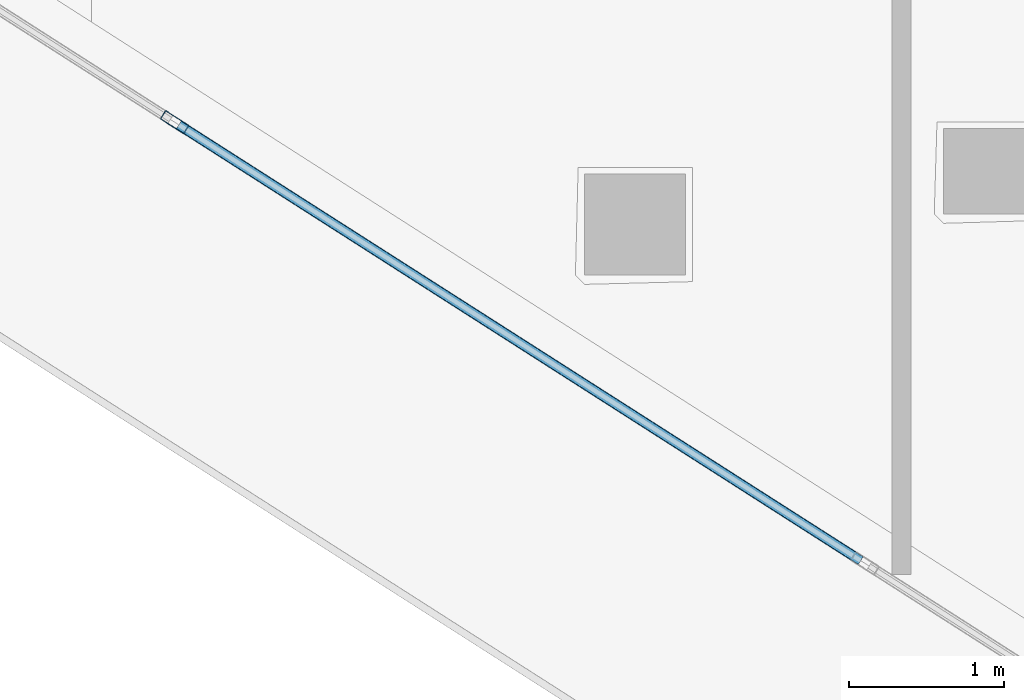
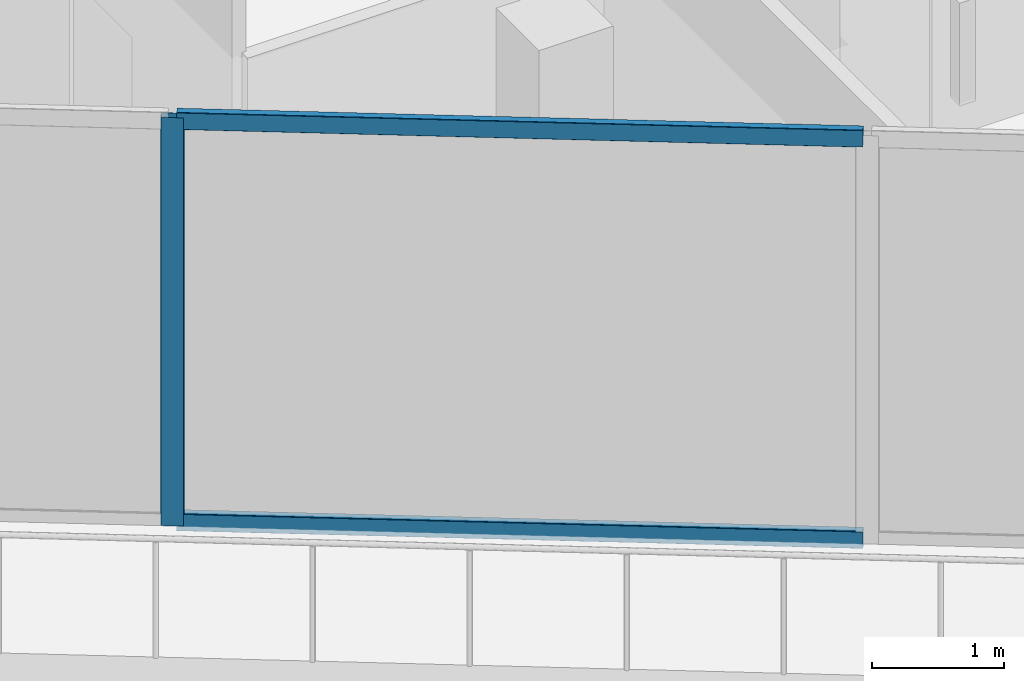
# One storey, part 3 of 33: 3 members, 1 element without a shape of its own.
"""IFC4 building model written with IfcOpenShell, lengths in metres."""

from ifc_helpers import new_model, si_unit, direction, frame, origin, origin_2d, place, context, subcontext, project, spatial, hollow_rectangle, extrude, material, layer, layer_set, material_profile, profile_set, type_object, element, aggregate, save


model = new_model("IFC4")

# Units and contexts
model_context = context("Model", 3, precision=1e-05, world=origin(), true_north=direction((0.0, 1.0)))
body_context = subcontext(model_context, "Body", "Model", "MODEL_VIEW")
ifc_project = project(units=[si_unit("LENGTHUNIT", "METRE"), si_unit("AREAUNIT", "SQUARE_METRE"), si_unit("VOLUMEUNIT", "CUBIC_METRE"), si_unit("PLANEANGLEUNIT", "RADIAN"), si_unit("MASSUNIT", "GRAM", prefix="KILO")], contexts=[model_context])

# Site, building, storey
site_placement = place(None, origin())
site = spatial("IfcSite", under=ifc_project, at=site_placement, CompositionType="ELEMENT")
building_placement = place(site_placement, origin())
building = spatial("IfcBuilding", under=site, at=building_placement, Name="Qorvath Tower", CompositionType="ELEMENT")
storey_placement = place(building_placement, frame((0.0, 0.0, 209.10009765625)))
storey = spatial("IfcBuildingStorey", under=building, at=storey_placement, Name="L48", CompositionType="ELEMENT", Elevation=209.10009765625)

# Curtain wall, members
ifc_material_1 = material(Name="Anodised aluminium and triple low-E glass", Category="aluminium")
ifc_layer = layer(ifc_material_1, 0.179931640625)
ifc_layer_set = layer_set([ifc_layer], Name="CW-SYS-3")
curtain_wall_type = type_object("IfcCurtainWallType", Name="CW-SYS-3", PredefinedType="NOTDEFINED", material=ifc_layer_set)
curtain_wall_placement = place(storey_placement, origin())
curtain_wall = element("IfcCurtainWall", 1, at=curtain_wall_placement, inside=storey, type_object=curtain_wall_type, Name="Curtain Wall CW-3 CW-T-L48-2.2", PredefinedType="NOTDEFINED")
ifc_material_2 = material(Name="Anodised aluminium 6063-T6", Category="aluminium")
ifc_material_profile_1 = material_profile(ifc_material_2, hollow_rectangle(XDim=0.06494140625, YDim=0.179931640625, WallThickness=0.00341796875, InnerFilletRadius=0.00341796875, OuterFilletRadius=0.007080078125, at=origin_2d()), Name="CWM 180x65")
ifc_profile_set_1 = profile_set([ifc_material_profile_1], Name="Anodised aluminium 6063-T6")
member_type_1 = type_object("IfcMemberType", Name="CWM-180", PredefinedType="MULLION", material=ifc_profile_set_1)
member_1_placement = place(storey_placement, frame((-39.330322265625, -12.47607421875, 0.0), z_axis=(0.0, 0.0, 1.0), x_axis=(0.538532547612, 0.842604708723, 0.0)))
member_1 = element("IfcMember", 2, at=member_1_placement, type_object=member_type_1, Name="CW-3 mullion 3", PredefinedType="MULLION", context=body_context, shape_type="SweptSolid", body=[
    extrude(hollow_rectangle(XDim=0.06494140625, YDim=0.179931640625, WallThickness=0.00341796875, InnerFilletRadius=0.00341796875, OuterFilletRadius=0.007080078125, at=origin_2d()), origin(), (0.0, 0.0, 1.0), 3.77978515625),
])
ifc_material_3 = material(Name="Anodised aluminium 6063-T6", Category="aluminium")
ifc_material_profile_2 = material_profile(ifc_material_3, hollow_rectangle(XDim=0.06494140625, YDim=0.159912109375, WallThickness=0.00341796875, InnerFilletRadius=0.00341796875, OuterFilletRadius=0.007080078125, at=origin_2d()), Name="CWT 160x65")
ifc_profile_set_2 = profile_set([ifc_material_profile_2], Name="Anodised aluminium 6063-T6")
member_type_2 = type_object("IfcMemberType", Name="CWT-160", PredefinedType="USERDEFINED", material=ifc_profile_set_2)
member_2_placement = place(storey_placement, frame((-39.302978515625, -12.49365234375, 0.032470703125), z_axis=(0.842621841948, -0.538505739498, 0.0), x_axis=(0.538505739498, 0.842621841948, 0.0)))
member_2 = element("IfcMember", 3, at=member_2_placement, type_object=member_type_2, Name="CW-3 transom 3.1", ObjectType="TRANSOM", PredefinedType="USERDEFINED", context=body_context, shape_type="SweptSolid", body=[
    extrude(hollow_rectangle(XDim=0.06494140625, YDim=0.159912109375, WallThickness=0.00341796875, InnerFilletRadius=0.00341796875, OuterFilletRadius=0.007080078125, at=origin_2d()), origin(), (0.0, 0.0, 1.0), 5.210205078125),
])
member_3_placement = place(storey_placement, frame((-39.302978515625, -12.49365234375, 3.747314453125), z_axis=(0.842621841948, -0.538505739498, 0.0), x_axis=(0.538505739498, 0.842621841948, 0.0)))
member_3 = element("IfcMember", 4, at=member_3_placement, type_object=member_type_2, Name="CW-3 transom 3.2", ObjectType="TRANSOM", PredefinedType="USERDEFINED", context=body_context, shape_type="SweptSolid", body=[
    extrude(hollow_rectangle(XDim=0.06494140625, YDim=0.159912109375, WallThickness=0.00341796875, InnerFilletRadius=0.00341796875, OuterFilletRadius=0.007080078125, at=origin_2d()), origin(), (0.0, 0.0, 1.0), 5.210205078125),
])
aggregate(curtain_wall, [member_1, member_2, member_3])

save(model, "model.ifc")
